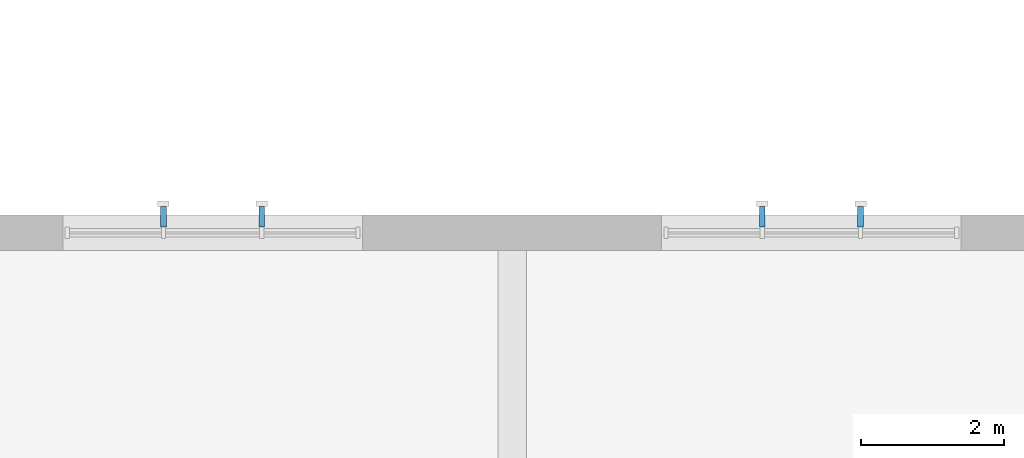
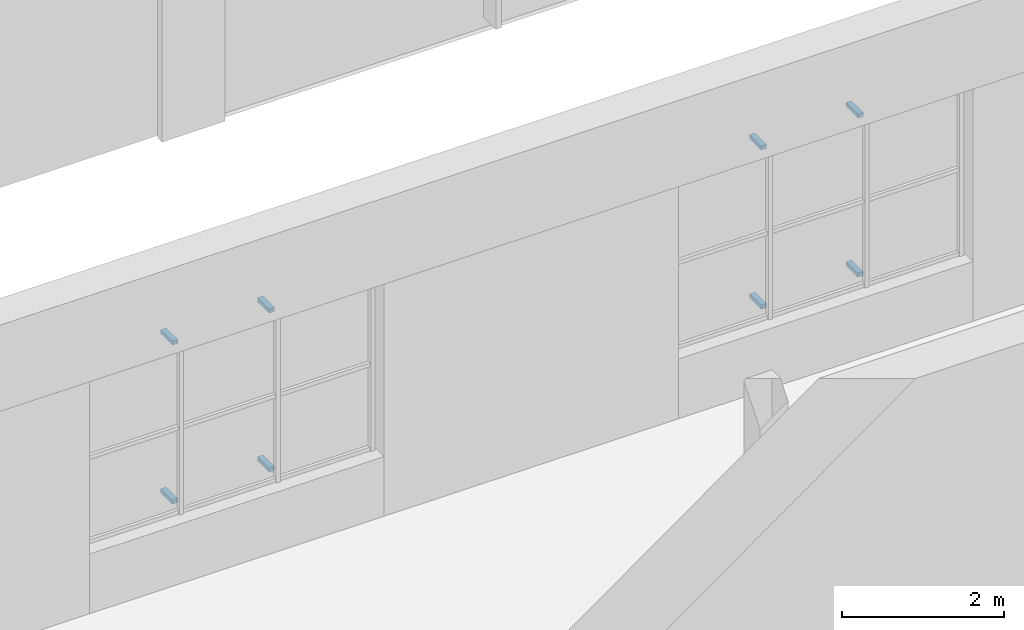
# One storey, part 101 of 127: 8 discrete accessories.
"""IFC4 building model written with IfcOpenShell, lengths in metres."""

from ifc_helpers import new_model, si_unit, direction, frame, origin, origin_2d, place, context, subcontext, project, spatial, rectangle, extrude, material, type_object, element, save


model = new_model("IFC4")

# Units and contexts
model_context = context("Model", 3, precision=1e-05, world=origin(), true_north=direction((0.0, 1.0)))
body_context = subcontext(model_context, "Body", "Model", "MODEL_VIEW")
ifc_project = project(units=[si_unit("LENGTHUNIT", "METRE"), si_unit("AREAUNIT", "SQUARE_METRE"), si_unit("VOLUMEUNIT", "CUBIC_METRE"), si_unit("PLANEANGLEUNIT", "RADIAN"), si_unit("MASSUNIT", "GRAM", prefix="KILO")], contexts=[model_context])

# Site, building, storey
site_placement = place(None, origin())
site = spatial("IfcSite", under=ifc_project, at=site_placement, CompositionType="ELEMENT")
building_placement = place(site_placement, origin())
building = spatial("IfcBuilding", under=site, at=building_placement, Name="Ljudholm Concert House", CompositionType="ELEMENT")
storey_placement = place(building_placement, frame((0.0, 0.0, 5.39990234375)))
storey = spatial("IfcBuildingStorey", under=building, at=storey_placement, Name="L01", CompositionType="ELEMENT", Elevation=5.39990234375)

# Discrete accessories
ifc_material = material(Name="Stainless steel bracket", Category="steel")
discrete_accessory_type = type_object("IfcDiscreteAccessoryType", Name="BRACKET 290", PredefinedType="BRACKET", material=ifc_material)
for number, where, z_axis, x_axis, name in (
    (1, (74.7099609375, 96.625, 0.969970703125), (0.0, 0.0, 1.0), (0.0, 1.0, 0.0), "Fin bracket"),
    (2, (74.7099609375, 96.625, 3.3701171875), (0.0, 0.0, 1.0), (0.0, 1.0, 0.0), "Fin bracket"),
    (3, (76.090087890625, 96.625, 0.969970703125), (0.0, 0.0, 1.0), (0.0, 1.0, 0.0), "Fin bracket"),
    (4, (76.090087890625, 96.625, 3.3701171875), (0.0, 0.0, 1.0), (0.0, 1.0, 0.0), "Fin bracket"),
    (5, (83.110107421875, 96.625, 0.969970703125), (0.0, 0.0, 1.0), (0.0, 1.0, 0.0), "Fin bracket"),
    (6, (83.110107421875, 96.625, 3.3701171875), (0.0, 0.0, 1.0), (0.0, 1.0, 0.0), "Fin bracket"),
    (7, (84.489990234375, 96.625, 0.969970703125), (0.0, 0.0, 1.0), (0.0, 1.0, 0.0), "Fin bracket"),
    (8, (84.489990234375, 96.625, 3.3701171875), (0.0, 0.0, 1.0), (0.0, 1.0, 0.0), "Fin bracket"),
):
    element("IfcDiscreteAccessory", number, at=place(storey_placement, frame(where, z_axis=z_axis, x_axis=x_axis)), inside=storey, type_object=discrete_accessory_type, Name=name, PredefinedType="BRACKET", context=body_context, shape_type="SweptSolid", body=[
        extrude(rectangle(XDim=0.2900390625, YDim=0.080078125, at=origin_2d()), origin(), (0.0, 0.0, 1.0), 0.06005859375),
    ])

save(model, "model.ifc")
